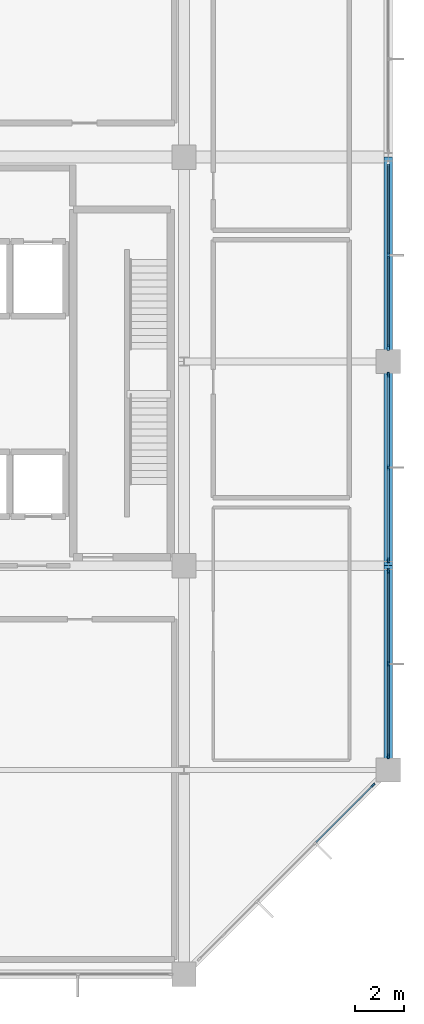
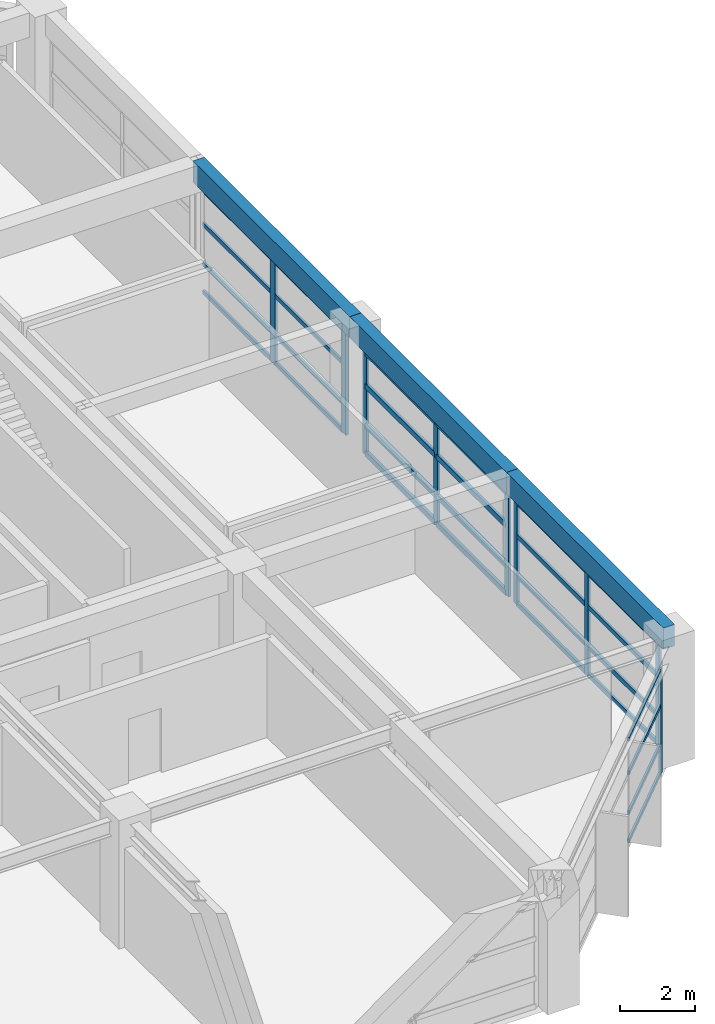
# One storey, part 6 of 16: 37 members, 3 beams, 4 elements without a shape of their own.
"""IFC4 building model written with IfcOpenShell, lengths in metres."""

from ifc_helpers import new_model, si_unit, direction, frame, origin, origin_2d, place, context, subcontext, project, spatial, rectangle, extrude, material, material_profile, profile_set, type_object, element, aggregate, save


model = new_model("IFC4")

# Units and contexts
model_context = context("Model", 3, precision=1e-05, world=origin(), true_north=direction((0.0, 1.0)))
body_context = subcontext(model_context, "Body", "Model", "MODEL_VIEW")
ifc_project = project(units=[si_unit("LENGTHUNIT", "METRE"), si_unit("AREAUNIT", "SQUARE_METRE"), si_unit("VOLUMEUNIT", "CUBIC_METRE"), si_unit("PLANEANGLEUNIT", "RADIAN"), si_unit("MASSUNIT", "GRAM", prefix="KILO")], contexts=[model_context])

# Site, building, storey
site_placement = place(None, origin())
site = spatial("IfcSite", under=ifc_project, at=site_placement, CompositionType="ELEMENT")
building_placement = place(site_placement, origin())
building = spatial("IfcBuilding", under=site, at=building_placement, Name="Xuanlan Plaza Opera House", CompositionType="ELEMENT")
storey_placement = place(building_placement, frame((0.0, 0.0, 48.89990234375)))
storey = spatial("IfcBuildingStorey", under=building, at=storey_placement, Name="L11", CompositionType="ELEMENT", Elevation=48.89990234375)

# Curtain wall, member
ifc_material_1 = material(Name="Anodised Aluminium 6063-T6 and Low-E Glass", Category="aluminium")
curtain_wall_type_1 = type_object("IfcCurtainWallType", Name="ENV-CW-CW-01", PredefinedType="USERDEFINED", material=ifc_material_1)
curtain_wall_1_placement = place(storey_placement, origin())
curtain_wall_1 = element("IfcCurtainWall", 1, at=curtain_wall_1_placement, inside=storey, type_object=curtain_wall_type_1, Name="Unitised Curtain Wall L11-004", ObjectType="UNITISED CURTAIN WALL", PredefinedType="USERDEFINED")
ifc_material_2 = material(Name="Anodised Aluminium 6063-T6", Category="aluminium")
ifc_material_profile_1 = material_profile(ifc_material_2, rectangle(XDim=0.070068359375, YDim=0.179931640625, at=origin_2d()), Name="ALU-M 70x180")
ifc_profile_set_1 = profile_set([ifc_material_profile_1], Name="Anodised Aluminium 6063-T6")
member_type_1 = type_object("IfcMemberType", Name="ENV-CWM-02", PredefinedType="MULLION", material=ifc_profile_set_1)
member_1_placement = place(storey_placement, frame((158.976318359375, 41.376220703125, 0.0), z_axis=(0.0, 0.0, 1.0), x_axis=(-0.707106781187, 0.707106781187, 0.0)))
member_1 = element("IfcMember", 2, at=member_1_placement, type_object=member_type_1, Name="CW-01 mullion 4", PredefinedType="MULLION", context=body_context, shape_type="SweptSolid", body=[
    extrude(rectangle(XDim=0.070068359375, YDim=0.179931640625, at=origin_2d()), origin(), (0.0, 0.0, 1.0), 3.380126953125),
])

# Curtain wall, members
curtain_wall_type_2 = type_object("IfcCurtainWallType", Name="ENV-CW-CW-02", PredefinedType="USERDEFINED", material=ifc_material_1)
curtain_wall_2_placement = place(storey_placement, origin())
curtain_wall_2 = element("IfcCurtainWall", 3, at=curtain_wall_2_placement, inside=storey, type_object=curtain_wall_type_2, Name="Unitised Curtain Wall L11-005", ObjectType="UNITISED CURTAIN WALL", PredefinedType="USERDEFINED")
ifc_material_profile_2 = material_profile(ifc_material_2, rectangle(XDim=0.074951171875, YDim=0.199951171875, at=origin_2d()), Name="ALU-M 75x200")
ifc_profile_set_2 = profile_set([ifc_material_profile_2], Name="Anodised Aluminium 6063-T6")
member_type_2 = type_object("IfcMemberType", Name="ENV-CWM-03", PredefinedType="MULLION", material=ifc_profile_set_2)
member_2_placement = place(storey_placement, frame((159.60009765625, 42.5576171875, 0.0), z_axis=(0.0, 0.0, 1.0), x_axis=(-1.0, 0.0, 0.0)))
member_2 = element("IfcMember", 4, at=member_2_placement, type_object=member_type_2, Name="CW-02 mullion 1", PredefinedType="MULLION", context=body_context, shape_type="SweptSolid", body=[
    extrude(rectangle(XDim=0.074951171875, YDim=0.199951171875, at=origin_2d()), origin(), (0.0, 0.0, 1.0), 3.380126953125),
])
member_3_placement = place(storey_placement, frame((159.60009765625, 46.362548828125, 0.0), z_axis=(0.0, 0.0, 1.0), x_axis=(-1.0, 0.0, 0.0)))
member_3 = element("IfcMember", 5, at=member_3_placement, type_object=member_type_2, Name="CW-02 mullion 2", PredefinedType="MULLION", context=body_context, shape_type="SweptSolid", body=[
    extrude(rectangle(XDim=0.074951171875, YDim=0.199951171875, at=origin_2d()), origin(), (0.0, 0.0, 1.0), 3.380126953125),
])
member_4_placement = place(storey_placement, frame((159.60009765625, 50.16748046875, 0.0), z_axis=(0.0, 0.0, 1.0), x_axis=(-1.0, 0.0, 0.0)))
member_4 = element("IfcMember", 6, at=member_4_placement, type_object=member_type_2, Name="CW-02 mullion 3", PredefinedType="MULLION", context=body_context, shape_type="SweptSolid", body=[
    extrude(rectangle(XDim=0.074951171875, YDim=0.199951171875, at=origin_2d()), origin(), (0.0, 0.0, 1.0), 3.380126953125),
])

curtain_wall_type_3 = type_object("IfcCurtainWallType", Name="ENV-CW-CW-03", PredefinedType="USERDEFINED", material=ifc_material_1)
curtain_wall_3_placement = place(storey_placement, origin())
curtain_wall_3 = element("IfcCurtainWall", 7, at=curtain_wall_3_placement, inside=storey, type_object=curtain_wall_type_3, Name="Unitised Curtain Wall L11-006", ObjectType="UNITISED CURTAIN WALL", PredefinedType="USERDEFINED")
ifc_material_profile_3 = material_profile(ifc_material_2, rectangle(XDim=0.080078125, YDim=0.219970703125, at=origin_2d()), Name="ALU-M 80x220")
ifc_profile_set_3 = profile_set([ifc_material_profile_3], Name="Anodised Aluminium 6063-T6")
member_type_3 = type_object("IfcMemberType", Name="ENV-CWM-04", PredefinedType="MULLION", material=ifc_profile_set_3)
member_5_placement = place(storey_placement, frame((159.60009765625, 50.635009765625, 0.0), z_axis=(0.0, 0.0, 1.0), x_axis=(-1.0, 0.0, 0.0)))
member_5 = element("IfcMember", 8, at=member_5_placement, type_object=member_type_3, Name="CW-03 mullion 1", PredefinedType="MULLION", context=body_context, shape_type="SweptSolid", body=[
    extrude(rectangle(XDim=0.080078125, YDim=0.219970703125, at=origin_2d()), origin(), (0.0, 0.0, 1.0), 3.380126953125),
])
member_6_placement = place(storey_placement, frame((159.60009765625, 54.4375, 0.0), z_axis=(0.0, 0.0, 1.0), x_axis=(-1.0, 0.0, 0.0)))
member_6 = element("IfcMember", 9, at=member_6_placement, type_object=member_type_3, Name="CW-03 mullion 2", PredefinedType="MULLION", context=body_context, shape_type="SweptSolid", body=[
    extrude(rectangle(XDim=0.080078125, YDim=0.219970703125, at=origin_2d()), origin(), (0.0, 0.0, 1.0), 3.380126953125),
])
member_7_placement = place(storey_placement, frame((159.60009765625, 58.239990234375, 0.0), z_axis=(0.0, 0.0, 1.0), x_axis=(-1.0, 0.0, 0.0)))
member_7 = element("IfcMember", 10, at=member_7_placement, type_object=member_type_3, Name="CW-03 mullion 3", PredefinedType="MULLION", context=body_context, shape_type="SweptSolid", body=[
    extrude(rectangle(XDim=0.080078125, YDim=0.219970703125, at=origin_2d()), origin(), (0.0, 0.0, 1.0), 3.380126953125),
])

curtain_wall_type_4 = type_object("IfcCurtainWallType", Name="ENV-CW-CW-04", PredefinedType="USERDEFINED", material=ifc_material_1)
curtain_wall_4_placement = place(storey_placement, origin())
curtain_wall_4 = element("IfcCurtainWall", 11, at=curtain_wall_4_placement, inside=storey, type_object=curtain_wall_type_4, Name="Unitised Curtain Wall L11-007", ObjectType="UNITISED CURTAIN WALL", PredefinedType="USERDEFINED")
ifc_material_profile_4 = material_profile(ifc_material_2, rectangle(XDim=0.090087890625, YDim=0.25, at=origin_2d()), Name="ALU-M 90x250")
ifc_profile_set_4 = profile_set([ifc_material_profile_4], Name="Anodised Aluminium 6063-T6")
member_type_4 = type_object("IfcMemberType", Name="ENV-CWM-05", PredefinedType="MULLION", material=ifc_profile_set_4)
member_8_placement = place(storey_placement, frame((159.60009765625, 59.364990234375, 0.0), z_axis=(0.0, 0.0, 1.0), x_axis=(-1.0, 0.0, 0.0)))
member_8 = element("IfcMember", 12, at=member_8_placement, type_object=member_type_4, Name="CW-04 mullion 1", PredefinedType="MULLION", context=body_context, shape_type="SweptSolid", body=[
    extrude(rectangle(XDim=0.090087890625, YDim=0.25, at=origin_2d()), origin(), (0.0, 0.0, 1.0), 3.380126953125),
])
member_9_placement = place(storey_placement, frame((159.60009765625, 63.16259765625, 0.0), z_axis=(0.0, 0.0, 1.0), x_axis=(-1.0, 0.0, 0.0)))
member_9 = element("IfcMember", 13, at=member_9_placement, type_object=member_type_4, Name="CW-04 mullion 2", PredefinedType="MULLION", context=body_context, shape_type="SweptSolid", body=[
    extrude(rectangle(XDim=0.090087890625, YDim=0.25, at=origin_2d()), origin(), (0.0, 0.0, 1.0), 3.380126953125),
])

# Member
ifc_material_profile_5 = material_profile(ifc_material_2, rectangle(XDim=0.06494140625, YDim=0.1201171875, at=origin_2d()), Name="ALU-T 65x120")
ifc_profile_set_5 = profile_set([ifc_material_profile_5], Name="Anodised Aluminium 6063-T6")
member_type_5 = type_object("IfcMemberType", Name="ENV-CWT-01", PredefinedType="USERDEFINED", material=ifc_profile_set_5)
member_10_placement = place(storey_placement, frame((156.625, 39.025146484375, 0.03271484375), z_axis=(0.707106781187, 0.707106781187, 0.0), x_axis=(-0.707106781187, 0.707106781187, 0.0)))
member_10 = element("IfcMember", 14, at=member_10_placement, type_object=member_type_5, Name="CW-01 transom 3.1", ObjectType="TRANSOM", PredefinedType="USERDEFINED", context=body_context, shape_type="SweptSolid", body=[
    extrude(rectangle(XDim=0.06494140625, YDim=0.1201171875, at=origin_2d()), origin(), (0.0, 0.0, 1.0), 3.2900390625),
])

member_11_placement = place(storey_placement, frame((156.625, 39.025146484375, 0.9501953125), z_axis=(0.707106781187, 0.707106781187, 0.0), x_axis=(-0.707106781187, 0.707106781187, 0.0)))
member_11 = element("IfcMember", 15, at=member_11_placement, type_object=member_type_5, Name="CW-01 transom 3.2", ObjectType="TRANSOM", PredefinedType="USERDEFINED", context=body_context, shape_type="SweptSolid", body=[
    extrude(rectangle(XDim=0.06494140625, YDim=0.1201171875, at=origin_2d()), origin(), (0.0, 0.0, 1.0), 3.2900390625),
])

member_12_placement = place(storey_placement, frame((156.625, 39.025146484375, 2.25), z_axis=(0.707106781187, 0.707106781187, 0.0), x_axis=(-0.707106781187, 0.707106781187, 0.0)))
member_12 = element("IfcMember", 16, at=member_12_placement, type_object=member_type_5, Name="CW-01 transom 3.3", ObjectType="TRANSOM", PredefinedType="USERDEFINED", context=body_context, shape_type="SweptSolid", body=[
    extrude(rectangle(XDim=0.06494140625, YDim=0.1201171875, at=origin_2d()), origin(), (0.0, 0.0, 1.0), 3.2900390625),
])

member_13_placement = place(storey_placement, frame((156.625, 39.025146484375, 3.34765625), z_axis=(0.707106781187, 0.707106781187, 0.0), x_axis=(-0.707106781187, 0.707106781187, 0.0)))
member_13 = element("IfcMember", 17, at=member_13_placement, type_object=member_type_5, Name="CW-01 transom 3.4", ObjectType="TRANSOM", PredefinedType="USERDEFINED", context=body_context, shape_type="SweptSolid", body=[
    extrude(rectangle(XDim=0.06494140625, YDim=0.1201171875, at=origin_2d()), origin(), (0.0, 0.0, 1.0), 3.2900390625),
])

aggregate(curtain_wall_1, [member_1, member_10, member_11, member_12, member_13])

ifc_material_profile_6 = material_profile(ifc_material_2, rectangle(XDim=0.070068359375, YDim=0.135009765625, at=origin_2d()), Name="ALU-T 70x135")
ifc_profile_set_6 = profile_set([ifc_material_profile_6], Name="Anodised Aluminium 6063-T6")
member_type_6 = type_object("IfcMemberType", Name="ENV-CWT-02", PredefinedType="USERDEFINED", material=ifc_profile_set_6)
member_14_placement = place(storey_placement, frame((159.60009765625, 59.409912109375, 0.03515625), z_axis=(0.0, 1.0, 0.0), x_axis=(-1.0, 0.0, 0.0)))
member_14 = element("IfcMember", 18, at=member_14_placement, type_object=member_type_6, Name="CW-04 transom 1.1", ObjectType="TRANSOM", PredefinedType="USERDEFINED", context=body_context, shape_type="SweptSolid", body=[
    extrude(rectangle(XDim=0.070068359375, YDim=0.135009765625, at=origin_2d()), origin(), (0.0, 0.0, 1.0), 3.70751953125),
])

member_15_placement = place(storey_placement, frame((159.60009765625, 59.409912109375, 0.9501953125), z_axis=(0.0, 1.0, 0.0), x_axis=(-1.0, 0.0, 0.0)))
member_15 = element("IfcMember", 19, at=member_15_placement, type_object=member_type_6, Name="CW-04 transom 1.2", ObjectType="TRANSOM", PredefinedType="USERDEFINED", context=body_context, shape_type="SweptSolid", body=[
    extrude(rectangle(XDim=0.070068359375, YDim=0.135009765625, at=origin_2d()), origin(), (0.0, 0.0, 1.0), 3.70751953125),
])

member_16_placement = place(storey_placement, frame((159.60009765625, 59.409912109375, 2.25), z_axis=(0.0, 1.0, 0.0), x_axis=(-1.0, 0.0, 0.0)))
member_16 = element("IfcMember", 20, at=member_16_placement, type_object=member_type_6, Name="CW-04 transom 1.3", ObjectType="TRANSOM", PredefinedType="USERDEFINED", context=body_context, shape_type="SweptSolid", body=[
    extrude(rectangle(XDim=0.070068359375, YDim=0.135009765625, at=origin_2d()), origin(), (0.0, 0.0, 1.0), 3.70751953125),
])

member_17_placement = place(storey_placement, frame((159.60009765625, 59.409912109375, 3.34521484375), z_axis=(0.0, 1.0, 0.0), x_axis=(-1.0, 0.0, 0.0)))
member_17 = element("IfcMember", 21, at=member_17_placement, type_object=member_type_6, Name="CW-04 transom 1.4", ObjectType="TRANSOM", PredefinedType="USERDEFINED", context=body_context, shape_type="SweptSolid", body=[
    extrude(rectangle(XDim=0.070068359375, YDim=0.135009765625, at=origin_2d()), origin(), (0.0, 0.0, 1.0), 3.70751953125),
])

member_18_placement = place(storey_placement, frame((159.60009765625, 63.20751953125, 0.03515625), z_axis=(0.0, 1.0, 0.0), x_axis=(-1.0, 0.0, 0.0)))
member_18 = element("IfcMember", 22, at=member_18_placement, type_object=member_type_6, Name="CW-04 transom 2.1", ObjectType="TRANSOM", PredefinedType="USERDEFINED", context=body_context, shape_type="SweptSolid", body=[
    extrude(rectangle(XDim=0.070068359375, YDim=0.135009765625, at=origin_2d()), origin(), (0.0, 0.0, 1.0), 3.70751953125),
])

member_19_placement = place(storey_placement, frame((159.60009765625, 63.20751953125, 0.9501953125), z_axis=(0.0, 1.0, 0.0), x_axis=(-1.0, 0.0, 0.0)))
member_19 = element("IfcMember", 23, at=member_19_placement, type_object=member_type_6, Name="CW-04 transom 2.2", ObjectType="TRANSOM", PredefinedType="USERDEFINED", context=body_context, shape_type="SweptSolid", body=[
    extrude(rectangle(XDim=0.070068359375, YDim=0.135009765625, at=origin_2d()), origin(), (0.0, 0.0, 1.0), 3.70751953125),
])

member_20_placement = place(storey_placement, frame((159.60009765625, 63.20751953125, 2.25), z_axis=(0.0, 1.0, 0.0), x_axis=(-1.0, 0.0, 0.0)))
member_20 = element("IfcMember", 24, at=member_20_placement, type_object=member_type_6, Name="CW-04 transom 2.3", ObjectType="TRANSOM", PredefinedType="USERDEFINED", context=body_context, shape_type="SweptSolid", body=[
    extrude(rectangle(XDim=0.070068359375, YDim=0.135009765625, at=origin_2d()), origin(), (0.0, 0.0, 1.0), 3.70751953125),
])

member_21_placement = place(storey_placement, frame((159.60009765625, 63.20751953125, 3.34521484375), z_axis=(0.0, 1.0, 0.0), x_axis=(-1.0, 0.0, 0.0)))
member_21 = element("IfcMember", 25, at=member_21_placement, type_object=member_type_6, Name="CW-04 transom 2.4", ObjectType="TRANSOM", PredefinedType="USERDEFINED", context=body_context, shape_type="SweptSolid", body=[
    extrude(rectangle(XDim=0.070068359375, YDim=0.135009765625, at=origin_2d()), origin(), (0.0, 0.0, 1.0), 3.70751953125),
])

aggregate(curtain_wall_4, [member_8, member_9, member_14, member_15, member_16, member_17, member_18, member_19, member_20, member_21])

ifc_material_profile_7 = material_profile(ifc_material_2, rectangle(XDim=0.074951171875, YDim=0.14990234375, at=origin_2d()), Name="ALU-T 75x150")
ifc_profile_set_7 = profile_set([ifc_material_profile_7], Name="Anodised Aluminium 6063-T6")
member_type_7 = type_object("IfcMemberType", Name="ENV-CWT-03", PredefinedType="USERDEFINED", material=ifc_profile_set_7)
member_22_placement = place(storey_placement, frame((159.60009765625, 42.594970703125, 0.03759765625), z_axis=(0.0, 1.0, 0.0), x_axis=(-1.0, 0.0, 0.0)))
member_22 = element("IfcMember", 26, at=member_22_placement, type_object=member_type_7, Name="CW-02 transom 1.1", ObjectType="TRANSOM", PredefinedType="USERDEFINED", context=body_context, shape_type="SweptSolid", body=[
    extrude(rectangle(XDim=0.074951171875, YDim=0.14990234375, at=origin_2d()), origin(), (0.0, 0.0, 1.0), 3.72998046875),
])

member_23_placement = place(storey_placement, frame((159.60009765625, 42.594970703125, 0.9501953125), z_axis=(0.0, 1.0, 0.0), x_axis=(-1.0, 0.0, 0.0)))
member_23 = element("IfcMember", 27, at=member_23_placement, type_object=member_type_7, Name="CW-02 transom 1.2", ObjectType="TRANSOM", PredefinedType="USERDEFINED", context=body_context, shape_type="SweptSolid", body=[
    extrude(rectangle(XDim=0.074951171875, YDim=0.14990234375, at=origin_2d()), origin(), (0.0, 0.0, 1.0), 3.72998046875),
])

member_24_placement = place(storey_placement, frame((159.60009765625, 42.594970703125, 2.25), z_axis=(0.0, 1.0, 0.0), x_axis=(-1.0, 0.0, 0.0)))
member_24 = element("IfcMember", 28, at=member_24_placement, type_object=member_type_7, Name="CW-02 transom 1.3", ObjectType="TRANSOM", PredefinedType="USERDEFINED", context=body_context, shape_type="SweptSolid", body=[
    extrude(rectangle(XDim=0.074951171875, YDim=0.14990234375, at=origin_2d()), origin(), (0.0, 0.0, 1.0), 3.72998046875),
])

member_25_placement = place(storey_placement, frame((159.60009765625, 42.594970703125, 3.342529296875), z_axis=(0.0, 1.0, 0.0), x_axis=(-1.0, 0.0, 0.0)))
member_25 = element("IfcMember", 29, at=member_25_placement, type_object=member_type_7, Name="CW-02 transom 1.4", ObjectType="TRANSOM", PredefinedType="USERDEFINED", context=body_context, shape_type="SweptSolid", body=[
    extrude(rectangle(XDim=0.074951171875, YDim=0.14990234375, at=origin_2d()), origin(), (0.0, 0.0, 1.0), 3.72998046875),
])

member_26_placement = place(storey_placement, frame((159.60009765625, 46.39990234375, 0.03759765625), z_axis=(0.0, 1.0, 0.0), x_axis=(-1.0, 0.0, 0.0)))
member_26 = element("IfcMember", 30, at=member_26_placement, type_object=member_type_7, Name="CW-02 transom 2.1", ObjectType="TRANSOM", PredefinedType="USERDEFINED", context=body_context, shape_type="SweptSolid", body=[
    extrude(rectangle(XDim=0.074951171875, YDim=0.14990234375, at=origin_2d()), origin(), (0.0, 0.0, 1.0), 3.72998046875),
])

member_27_placement = place(storey_placement, frame((159.60009765625, 46.39990234375, 0.9501953125), z_axis=(0.0, 1.0, 0.0), x_axis=(-1.0, 0.0, 0.0)))
member_27 = element("IfcMember", 31, at=member_27_placement, type_object=member_type_7, Name="CW-02 transom 2.2", ObjectType="TRANSOM", PredefinedType="USERDEFINED", context=body_context, shape_type="SweptSolid", body=[
    extrude(rectangle(XDim=0.074951171875, YDim=0.14990234375, at=origin_2d()), origin(), (0.0, 0.0, 1.0), 3.72998046875),
])

member_28_placement = place(storey_placement, frame((159.60009765625, 46.39990234375, 2.25), z_axis=(0.0, 1.0, 0.0), x_axis=(-1.0, 0.0, 0.0)))
member_28 = element("IfcMember", 32, at=member_28_placement, type_object=member_type_7, Name="CW-02 transom 2.3", ObjectType="TRANSOM", PredefinedType="USERDEFINED", context=body_context, shape_type="SweptSolid", body=[
    extrude(rectangle(XDim=0.074951171875, YDim=0.14990234375, at=origin_2d()), origin(), (0.0, 0.0, 1.0), 3.72998046875),
])

member_29_placement = place(storey_placement, frame((159.60009765625, 46.39990234375, 3.342529296875), z_axis=(0.0, 1.0, 0.0), x_axis=(-1.0, 0.0, 0.0)))
member_29 = element("IfcMember", 33, at=member_29_placement, type_object=member_type_7, Name="CW-02 transom 2.4", ObjectType="TRANSOM", PredefinedType="USERDEFINED", context=body_context, shape_type="SweptSolid", body=[
    extrude(rectangle(XDim=0.074951171875, YDim=0.14990234375, at=origin_2d()), origin(), (0.0, 0.0, 1.0), 3.72998046875),
])

aggregate(curtain_wall_2, [member_2, member_3, member_4, member_22, member_23, member_24, member_25, member_26, member_27, member_28, member_29])

ifc_material_profile_8 = material_profile(ifc_material_2, rectangle(XDim=0.090087890625, YDim=0.179931640625, at=origin_2d()), Name="ALU-T 90x180")
ifc_profile_set_8 = profile_set([ifc_material_profile_8], Name="Anodised Aluminium 6063-T6")
member_type_8 = type_object("IfcMemberType", Name="ENV-CWT-05", PredefinedType="USERDEFINED", material=ifc_profile_set_8)
member_30_placement = place(storey_placement, frame((159.60009765625, 50.675048828125, 0.045166015625), z_axis=(0.0, 1.0, 0.0), x_axis=(-1.0, 0.0, 0.0)))
member_30 = element("IfcMember", 34, at=member_30_placement, type_object=member_type_8, Name="CW-03 transom 1.1", ObjectType="TRANSOM", PredefinedType="USERDEFINED", context=body_context, shape_type="SweptSolid", body=[
    extrude(rectangle(XDim=0.090087890625, YDim=0.179931640625, at=origin_2d()), origin(), (0.0, 0.0, 1.0), 3.722412109375),
])

member_31_placement = place(storey_placement, frame((159.60009765625, 50.675048828125, 0.9501953125), z_axis=(0.0, 1.0, 0.0), x_axis=(-1.0, 0.0, 0.0)))
member_31 = element("IfcMember", 35, at=member_31_placement, type_object=member_type_8, Name="CW-03 transom 1.2", ObjectType="TRANSOM", PredefinedType="USERDEFINED", context=body_context, shape_type="SweptSolid", body=[
    extrude(rectangle(XDim=0.090087890625, YDim=0.179931640625, at=origin_2d()), origin(), (0.0, 0.0, 1.0), 3.722412109375),
])

member_32_placement = place(storey_placement, frame((159.60009765625, 50.675048828125, 2.25), z_axis=(0.0, 1.0, 0.0), x_axis=(-1.0, 0.0, 0.0)))
member_32 = element("IfcMember", 36, at=member_32_placement, type_object=member_type_8, Name="CW-03 transom 1.3", ObjectType="TRANSOM", PredefinedType="USERDEFINED", context=body_context, shape_type="SweptSolid", body=[
    extrude(rectangle(XDim=0.090087890625, YDim=0.179931640625, at=origin_2d()), origin(), (0.0, 0.0, 1.0), 3.722412109375),
])

member_33_placement = place(storey_placement, frame((159.60009765625, 50.675048828125, 3.335205078125), z_axis=(0.0, 1.0, 0.0), x_axis=(-1.0, 0.0, 0.0)))
member_33 = element("IfcMember", 37, at=member_33_placement, type_object=member_type_8, Name="CW-03 transom 1.4", ObjectType="TRANSOM", PredefinedType="USERDEFINED", context=body_context, shape_type="SweptSolid", body=[
    extrude(rectangle(XDim=0.090087890625, YDim=0.179931640625, at=origin_2d()), origin(), (0.0, 0.0, 1.0), 3.722412109375),
])

member_34_placement = place(storey_placement, frame((159.60009765625, 54.4775390625, 0.045166015625), z_axis=(0.0, 1.0, 0.0), x_axis=(-1.0, 0.0, 0.0)))
member_34 = element("IfcMember", 38, at=member_34_placement, type_object=member_type_8, Name="CW-03 transom 2.1", ObjectType="TRANSOM", PredefinedType="USERDEFINED", context=body_context, shape_type="SweptSolid", body=[
    extrude(rectangle(XDim=0.090087890625, YDim=0.179931640625, at=origin_2d()), origin(), (0.0, 0.0, 1.0), 3.722412109375),
])

member_35_placement = place(storey_placement, frame((159.60009765625, 54.4775390625, 0.9501953125), z_axis=(0.0, 1.0, 0.0), x_axis=(-1.0, 0.0, 0.0)))
member_35 = element("IfcMember", 39, at=member_35_placement, type_object=member_type_8, Name="CW-03 transom 2.2", ObjectType="TRANSOM", PredefinedType="USERDEFINED", context=body_context, shape_type="SweptSolid", body=[
    extrude(rectangle(XDim=0.090087890625, YDim=0.179931640625, at=origin_2d()), origin(), (0.0, 0.0, 1.0), 3.722412109375),
])

member_36_placement = place(storey_placement, frame((159.60009765625, 54.4775390625, 2.25), z_axis=(0.0, 1.0, 0.0), x_axis=(-1.0, 0.0, 0.0)))
member_36 = element("IfcMember", 40, at=member_36_placement, type_object=member_type_8, Name="CW-03 transom 2.3", ObjectType="TRANSOM", PredefinedType="USERDEFINED", context=body_context, shape_type="SweptSolid", body=[
    extrude(rectangle(XDim=0.090087890625, YDim=0.179931640625, at=origin_2d()), origin(), (0.0, 0.0, 1.0), 3.722412109375),
])

member_37_placement = place(storey_placement, frame((159.60009765625, 54.4775390625, 3.335205078125), z_axis=(0.0, 1.0, 0.0), x_axis=(-1.0, 0.0, 0.0)))
member_37 = element("IfcMember", 41, at=member_37_placement, type_object=member_type_8, Name="CW-03 transom 2.4", ObjectType="TRANSOM", PredefinedType="USERDEFINED", context=body_context, shape_type="SweptSolid", body=[
    extrude(rectangle(XDim=0.090087890625, YDim=0.179931640625, at=origin_2d()), origin(), (0.0, 0.0, 1.0), 3.722412109375),
])

aggregate(curtain_wall_3, [member_5, member_6, member_7, member_30, member_31, member_32, member_33, member_34, member_35, member_36, member_37])

# Beams
ifc_material_3 = material(Name="Concrete C40", Category="concrete")
ifc_material_profile_9 = material_profile(ifc_material_3, rectangle(XDim=0.35009765625, YDim=0.699951171875, at=origin_2d()), Name="RC-SPD 350x700")
ifc_profile_set_9 = profile_set([ifc_material_profile_9], Name="Concrete C40")
beam_type = type_object("IfcBeamType", Name="STR-BM-SP-02", PredefinedType="SPANDREL", material=ifc_profile_set_9)
beam_1_placement = place(storey_placement, frame((159.60009765625, 42.0, 3.85009765625), z_axis=(0.0, 1.0, 0.0), x_axis=(-1.0, 0.0, 0.0)))
element("IfcBeam", 42, at=beam_1_placement, inside=storey, type_object=beam_type, Name="Grid Beam Y L11 20/F-G", PredefinedType="SPANDREL", context=body_context, shape_type="SweptSolid", body=[
    extrude(rectangle(XDim=0.35009765625, YDim=0.699951171875, at=origin_2d()), origin(), (0.0, 0.0, 1.0), 8.39990234375),
])
beam_2_placement = place(storey_placement, frame((159.60009765625, 50.39990234375, 3.85009765625), z_axis=(0.0, 1.0, 0.0), x_axis=(-1.0, 0.0, 0.0)))
element("IfcBeam", 43, at=beam_2_placement, inside=storey, type_object=beam_type, Name="Grid Beam Y L11 20/G-H", PredefinedType="SPANDREL", context=body_context, shape_type="SweptSolid", body=[
    extrude(rectangle(XDim=0.35009765625, YDim=0.699951171875, at=origin_2d()), origin(), (0.0, 0.0, 1.0), 8.400146484375),
])
beam_3_placement = place(storey_placement, frame((159.60009765625, 58.800048828125, 3.85009765625), z_axis=(0.0, 1.0, 0.0), x_axis=(-1.0, 0.0, 0.0)))
element("IfcBeam", 44, at=beam_3_placement, inside=storey, type_object=beam_type, Name="Grid Beam Y L11 20/H-I", PredefinedType="SPANDREL", context=body_context, shape_type="SweptSolid", body=[
    extrude(rectangle(XDim=0.35009765625, YDim=0.699951171875, at=origin_2d()), origin(), (0.0, 0.0, 1.0), 8.39990234375),
])

save(model, "model.ifc")
